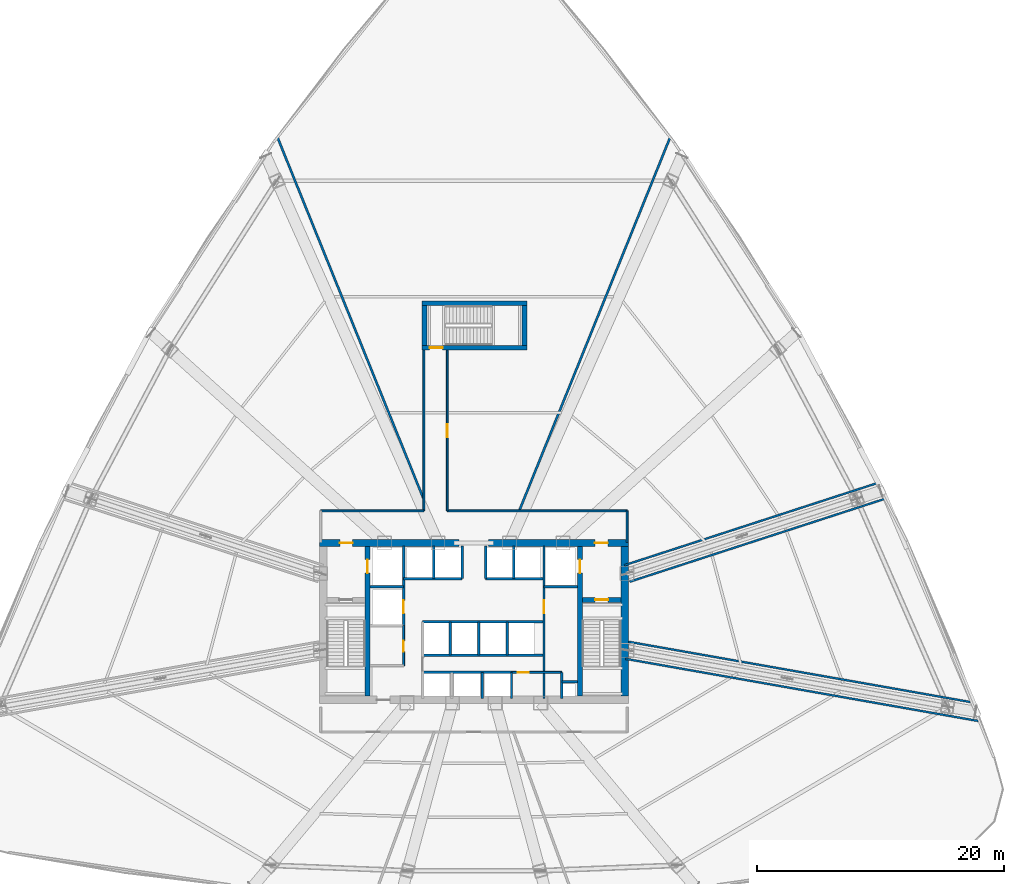
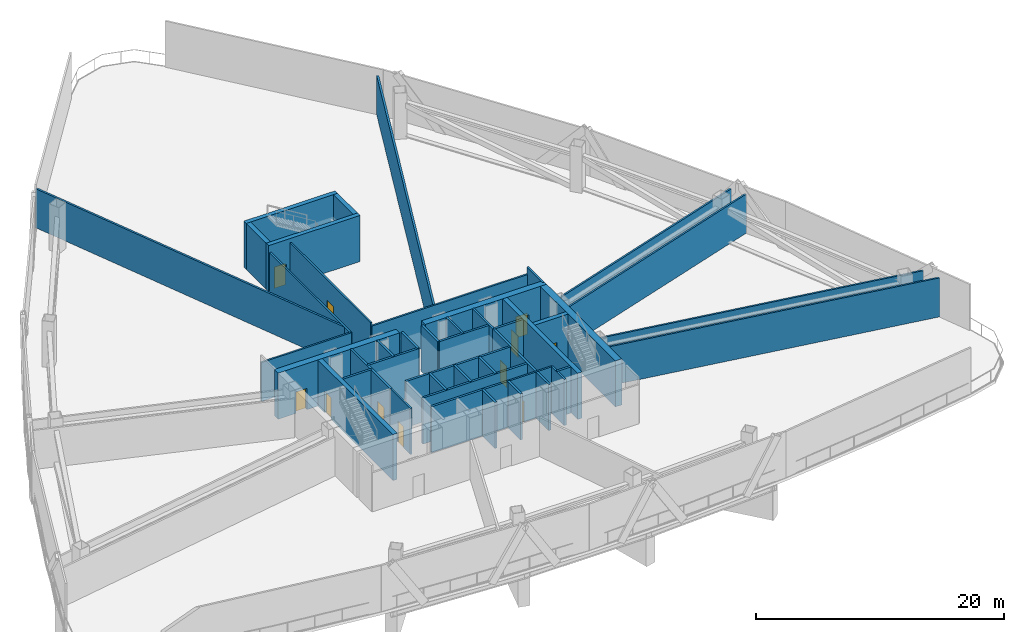
# One storey, part 10 of 17: 44 walls, 11 doors, 11 openings.
"""IFC4 building model written with IfcOpenShell, lengths in metres."""

from ifc_helpers import new_model, si_unit, direction, frame, frame_2d, origin, origin_with_axes, place, context, subcontext, project, spatial, rectangle, extrude, source, transform, mapped, material, layer, layer_set, type_object, element, fill, save


model = new_model("IFC4")

# Units and contexts
model_context = context("Model", 3, precision=1e-05, world=origin(), true_north=direction((0.0, 1.0)))
body_context = subcontext(model_context, "Body", "Model", "MODEL_VIEW")
ifc_project = project(units=[si_unit("LENGTHUNIT", "METRE"), si_unit("AREAUNIT", "SQUARE_METRE"), si_unit("VOLUMEUNIT", "CUBIC_METRE"), si_unit("PLANEANGLEUNIT", "RADIAN"), si_unit("MASSUNIT", "GRAM", prefix="KILO"), si_unit("THERMODYNAMICTEMPERATUREUNIT", "KELVIN"), si_unit("POWERUNIT", "WATT")], contexts=[model_context])

# Site, building, storey
site_placement = place(None, origin())
site = spatial("IfcSite", under=ifc_project, at=site_placement, CompositionType="ELEMENT")
building_placement = place(site_placement, origin())
building = spatial("IfcBuilding", under=site, at=building_placement, Name="Yunzhuo Pagoda Commons", CompositionType="ELEMENT")
storey_placement = place(building_placement, frame((0.0, 0.0, 76.3798828125)))
storey = spatial("IfcBuildingStorey", under=building, at=storey_placement, Name="L19", CompositionType="ELEMENT", Elevation=76.3798828125)

# Wall, opening, door
ifc_material_1 = material(Name="Concrete C60", Category="concrete")
ifc_layer_1 = layer(ifc_material_1, 0.60009765625)
ifc_layer_set_1 = layer_set([ifc_layer_1], Name="Concrete C60")
wall_type_1 = type_object("IfcWallType", Name="W-C02 Mid Core Shear Wall 600", PredefinedType="SHEAR", material=ifc_layer_set_1)
wall_1_placement = place(storey_placement, frame((35.5, 40.199951171875, 0.0), z_axis=(0.0, 0.0, 1.0), x_axis=(1.0, 0.0, 0.0)))
wall_1 = element("IfcWall", 1, at=wall_1_placement, inside=storey, type_object=wall_type_1, Name="L19 core shear wall NW", PredefinedType="SHEAR", context=body_context, shape_type="SweptSolid", body=[
    extrude(rectangle(XDim=11.300048828125, YDim=0.60009765625, at=frame_2d((5.64990234375, 0.0))), origin(), (0.0, 0.0, 1.0), 4.5400390625),
])
opening_1_placement = place(wall_1_placement, frame((1.64990234375, 0.0, 0.0)))
opening_1 = element("IfcOpeningElement", 2, at=opening_1_placement, cuts=wall_1, Name="Opening D-02", PredefinedType="OPENING", context=body_context, shape_type="SweptSolid", body=[
    extrude(rectangle(XDim=1.050048828125, YDim=2.10009765625, at=frame_2d((0.52490234375, 1.050048828125))), frame((0.0, 0.31005859375, 0.0), z_axis=(0.0, -1.0, 0.0), x_axis=(1.0, 0.0, 0.0)), (0.0, 0.0, 1.0), 0.6201171875),
])
ifc_material_2 = material(Name="Galvanized fire-resisting metal leaf")
door_type_1 = type_object("IfcDoorType", Name="D-02 Firefighting Lobby & Refuge Fire Door 1050x2100", OperationType="NOTDEFINED", PredefinedType="DOOR", material=ifc_material_2)
shared_shape_1 = source(origin(), body_context, "Body", "SweptSolid", [
    extrude(rectangle(XDim=1.050048828125, YDim=2.10009765625, at=frame_2d((0.52490234375, 1.050048828125))), frame((0.0, 0.02490234375, 0.0), z_axis=(0.0, -1.0, 0.0), x_axis=(1.0, 0.0, 0.0)), (0.0, 0.0, 1.0), 0.050048828125),
])
door_1_placement = place(opening_1_placement, frame((1.050048828125, 0.0, 0.0), z_axis=(0.0, 0.0, 1.0), x_axis=(-1.0, 0.0, 0.0)))
door_1 = element("IfcDoor", 3, at=door_1_placement, inside=storey, type_object=door_type_1, Name="L19 Firefighting Lobby 1 fire door", OperationType="SINGLE_SWING_LEFT", OverallHeight=2.10009765625, OverallWidth=1.050048828125, PredefinedType="DOOR", context=body_context, shape_type="MappedRepresentation", body=[
    mapped(shared_shape_1, transform((0.0, 0.0, 0.0), scale=1.0)),
])
fill(opening_1, door_1)

wall_2_placement = place(storey_placement, frame((49.199951171875, 40.199951171875, 0.0), z_axis=(0.0, 0.0, 1.0), x_axis=(1.0, 0.0, 0.0)))
wall_2 = element("IfcWall", 4, at=wall_2_placement, inside=storey, type_object=wall_type_1, Name="L19 core shear wall NE", PredefinedType="SHEAR", context=body_context, shape_type="SweptSolid", body=[
    extrude(rectangle(XDim=11.300048828125, YDim=0.60009765625, at=frame_2d((5.64990234375, 0.0))), origin(), (0.0, 0.0, 1.0), 4.5400390625),
])
opening_2_placement = place(wall_2_placement, frame((8.60009765625, 0.0, 0.0)))
opening_2 = element("IfcOpeningElement", 5, at=opening_2_placement, cuts=wall_2, Name="Opening D-02", PredefinedType="OPENING", context=body_context, shape_type="SweptSolid", body=[
    extrude(rectangle(XDim=1.050048828125, YDim=2.10009765625, at=frame_2d((0.52490234375, 1.050048828125))), frame((0.0, 0.31005859375, 0.0), z_axis=(0.0, -1.0, 0.0), x_axis=(1.0, 0.0, 0.0)), (0.0, 0.0, 1.0), 0.6201171875),
])
door_2_placement = place(opening_2_placement, frame((1.050048828125, 0.0, 0.0), z_axis=(0.0, 0.0, 1.0), x_axis=(-1.0, 0.0, 0.0)))
door_2 = element("IfcDoor", 6, at=door_2_placement, inside=storey, type_object=door_type_1, Name="L19 Firefighting Lobby 2 fire door", OperationType="SINGLE_SWING_RIGHT", OverallHeight=2.10009765625, OverallWidth=1.050048828125, PredefinedType="DOOR", context=body_context, shape_type="MappedRepresentation", body=[
    mapped(shared_shape_1, transform((0.0, 0.0, 0.0), scale=1.0)),
])
fill(opening_2, door_2)

# Wall
wall_3_placement = place(storey_placement, frame((60.199951171875, 27.800048828125, 0.0), z_axis=(0.0, 0.0, 1.0), x_axis=(0.0, 1.0, 0.0)))
element("IfcWall", 7, at=wall_3_placement, inside=storey, type_object=wall_type_1, Name="L19 core shear wall E", PredefinedType="SHEAR", context=body_context, shape_type="SweptSolid", body=[
    extrude(rectangle(XDim=12.099853515625, YDim=0.60009765625, at=frame_2d((6.0498046875, 0.0))), origin(), (0.0, 0.0, 1.0), 4.5400390625),
])

# Wall, opening, door
ifc_material_3 = material(Name="Gypsum plasterboard on acoustic stud")
ifc_layer_2 = layer(ifc_material_3, 0.159912109375)
ifc_layer_set_2 = layer_set([ifc_layer_2], Name="Gypsum plasterboard on acoustic stud")
wall_type_2 = type_object("IfcWallType", Name="W-COR1 Tower Rated Corridor Wall 160", PredefinedType="PARTITIONING", material=ifc_layer_set_2)
wall_4_placement = place(storey_placement, frame((42.320068359375, 30.280029296875, 0.0), z_axis=(0.0, 0.0, 1.0), x_axis=(0.0, 1.0, 0.0)))
wall_4 = element("IfcWall", 8, at=wall_4_placement, inside=storey, type_object=wall_type_2, Name="L19 interior wall IW-L19-CSWE", PredefinedType="PARTITIONING", context=body_context, shape_type="SweptSolid", body=[
    extrude(rectangle(XDim=3.219970703125, YDim=0.159912109375, at=frame_2d((1.60986328125, 0.0))), origin(), (0.0, 0.0, 1.0), 4.5400390625),
])
opening_3_placement = place(wall_4_placement, frame((1.10009765625, 0.0, 0.0)))
opening_3 = element("IfcOpeningElement", 9, at=opening_3_placement, cuts=wall_4, Name="Opening D-03", PredefinedType="OPENING", context=body_context, shape_type="SweptSolid", body=[
    extrude(rectangle(XDim=0.89990234375, YDim=2.10009765625, at=frame_2d((0.449951171875, 1.050048828125))), frame((0.0, 0.08984375, 0.0), z_axis=(0.0, -1.0, 0.0), x_axis=(1.0, 0.0, 0.0)), (0.0, 0.0, 1.0), 0.179931640625),
])
door_type_2 = type_object("IfcDoorType", Name="D-03 Core Service Fire Door 900x2100", OperationType="NOTDEFINED", PredefinedType="DOOR", material=ifc_material_2)
shared_shape_2 = source(origin(), body_context, "Body", "SweptSolid", [
    extrude(rectangle(XDim=0.89990234375, YDim=2.10009765625, at=frame_2d((0.449951171875, 1.050048828125))), frame((0.0, 0.02490234375, 0.0), z_axis=(0.0, -1.0, 0.0), x_axis=(1.0, 0.0, 0.0)), (0.0, 0.0, 1.0), 0.050048828125),
])
door_3_placement = place(opening_3_placement, origin_with_axes())
door_3 = element("IfcDoor", 10, at=door_3_placement, inside=storey, type_object=door_type_2, Name="L19 core closet door", OperationType="SINGLE_SWING_LEFT", OverallHeight=2.10009765625, OverallWidth=0.89990234375, PredefinedType="DOOR", context=body_context, shape_type="MappedRepresentation", body=[
    mapped(shared_shape_2, transform((0.0, 0.0, 0.0), scale=1.0)),
])
fill(opening_3, door_3)

wall_5_placement = place(storey_placement, frame((51.050048828125, 29.719970703125, 0.0), z_axis=(0.0, 0.0, 1.0), x_axis=(1.0, 0.0, 0.0)))
wall_5 = element("IfcWall", 11, at=wall_5_placement, inside=storey, type_object=wall_type_2, Name="L19 interior wall IW-L19-CSES", PredefinedType="PARTITIONING", context=body_context, shape_type="SweptSolid", body=[
    extrude(rectangle(XDim=4.070068359375, YDim=0.159912109375, at=frame_2d((2.03515625, 0.0))), origin(), (0.0, 0.0, 1.0), 4.5400390625),
])
opening_4_placement = place(wall_5_placement, frame((0.5, 0.0, 0.0)))
opening_4 = element("IfcOpeningElement", 12, at=opening_4_placement, cuts=wall_5, Name="Opening D-03", PredefinedType="OPENING", context=body_context, shape_type="SweptSolid", body=[
    extrude(rectangle(XDim=0.89990234375, YDim=2.10009765625, at=frame_2d((0.449951171875, 1.050048828125))), frame((0.0, 0.08984375, 0.0), z_axis=(0.0, -1.0, 0.0), x_axis=(1.0, 0.0, 0.0)), (0.0, 0.0, 1.0), 0.179931640625),
])
door_4_placement = place(opening_4_placement, origin_with_axes())
door_4 = element("IfcDoor", 13, at=door_4_placement, inside=storey, type_object=door_type_2, Name="L19 cleaner store door", OperationType="SINGLE_SWING_LEFT", OverallHeight=2.10009765625, OverallWidth=0.89990234375, PredefinedType="DOOR", context=body_context, shape_type="MappedRepresentation", body=[
    mapped(shared_shape_2, transform((0.0, 0.0, 0.0), scale=1.0)),
])
fill(opening_4, door_4)

# Walls
wall_6_placement = place(storey_placement, frame((60.2783203125, 30.82421875, 0.0), z_axis=(0.0, 0.0, 1.0), x_axis=(0.984807902687, -0.173647328815, 0.0)))
element("IfcWall", 14, at=wall_6_placement, inside=storey, type_object=wall_type_2, Name="L19 interior wall IW-L19-OTW01", PredefinedType="PARTITIONING", context=body_context, shape_type="SweptSolid", body=[
    extrude(rectangle(XDim=29.0654296875, YDim=0.159912109375, at=frame_2d((14.53271484375, 0.0))), origin(), (0.0, 0.0, 1.0), 3.840087890625),
])
wall_7_placement = place(storey_placement, frame((60.521484375, 32.202880859375, 0.0), z_axis=(0.0, 0.0, 1.0), x_axis=(0.984808219267, -0.173645533386, 0.0)))
element("IfcWall", 15, at=wall_7_placement, inside=storey, type_object=wall_type_2, Name="L19 interior wall IW-L19-OTW02", PredefinedType="PARTITIONING", context=body_context, shape_type="SweptSolid", body=[
    extrude(rectangle(XDim=28.19384765625, YDim=0.159912109375, at=frame_2d((14.096923828125, 0.0))), origin(), (0.0, 0.0, 1.0), 3.840087890625),
])
wall_8_placement = place(storey_placement, frame((60.6162109375, 37.063232421875, 0.0), z_axis=(0.0, 0.0, 1.0), x_axis=(0.951055634406, 0.309019708539, 0.0)))
element("IfcWall", 16, at=wall_8_placement, inside=storey, type_object=wall_type_2, Name="L19 interior wall IW-L19-OTW03", PredefinedType="PARTITIONING", context=body_context, shape_type="SweptSolid", body=[
    extrude(rectangle(XDim=21.71142578125, YDim=0.159912109375, at=frame_2d((10.855712890625, 0.0))), origin(), (0.0, 0.0, 1.0), 3.840087890625),
])
wall_9_placement = place(storey_placement, frame((60.18359375, 38.394775390625, 0.0), z_axis=(0.0, 0.0, 1.0), x_axis=(0.951057789573, 0.309013075603, 0.0)))
element("IfcWall", 17, at=wall_9_placement, inside=storey, type_object=wall_type_2, Name="L19 interior wall IW-L19-OTW04", PredefinedType="PARTITIONING", context=body_context, shape_type="SweptSolid", body=[
    extrude(rectangle(XDim=21.47802734375, YDim=0.159912109375, at=frame_2d((10.739013671875, 0.0))), origin(), (0.0, 0.0, 1.0), 3.840087890625),
])
wall_10_placement = place(storey_placement, frame((35.60009765625, 42.800048828125, 0.0), z_axis=(0.0, 0.0, 1.0), x_axis=(1.0, 0.0, 0.0)))
element("IfcWall", 18, at=wall_10_placement, inside=storey, type_object=wall_type_2, Name="L19 interior wall IW-L19-SCW02", PredefinedType="PARTITIONING", context=body_context, shape_type="SweptSolid", body=[
    extrude(rectangle(XDim=8.349853515625, YDim=0.159912109375, at=frame_2d((4.1748046875, 0.0))), origin(), (0.0, 0.0, 1.0), 3.840087890625),
])
wall_11_placement = place(storey_placement, frame((43.949951171875, 42.800048828125, 0.0), z_axis=(0.0, 0.0, 1.0), x_axis=(0.0, 1.0, 0.0)))
element("IfcWall", 19, at=wall_11_placement, inside=storey, type_object=wall_type_2, Name="L19 interior wall IW-L19-SCW03", PredefinedType="PARTITIONING", context=body_context, shape_type="SweptSolid", body=[
    extrude(rectangle(XDim=13.0, YDim=0.159912109375, at=frame_2d((6.5, 0.0))), origin(), (0.0, 0.0, 1.0), 3.840087890625),
])

# Wall, opening, door
wall_12_placement = place(storey_placement, frame((45.85009765625, 55.800048828125, 0.0), z_axis=(0.0, 0.0, 1.0), x_axis=(0.0, -1.0, 0.0)))
wall_12 = element("IfcWall", 20, at=wall_12_placement, inside=storey, type_object=wall_type_2, Name="L19 interior wall IW-L19-SCW04", PredefinedType="PARTITIONING", context=body_context, shape_type="SweptSolid", body=[
    extrude(rectangle(XDim=13.0, YDim=0.159912109375, at=frame_2d((6.5, 0.0))), origin(), (0.0, 0.0, 1.0), 4.14013671875),
])
opening_5_placement = place(wall_12_placement, frame((5.97509765625, 0.0, 0.0)))
opening_5 = element("IfcOpeningElement", 21, at=opening_5_placement, cuts=wall_12, Name="Opening D-02", PredefinedType="OPENING", context=body_context, shape_type="SweptSolid", body=[
    extrude(rectangle(XDim=1.050048828125, YDim=2.10009765625, at=frame_2d((0.52490234375, 1.050048828125))), frame((0.0, 0.08984375, 0.0), z_axis=(0.0, -1.0, 0.0), x_axis=(1.0, 0.0, 0.0)), (0.0, 0.0, 1.0), 0.179931640625),
])
door_5_placement = place(opening_5_placement, origin_with_axes())
door_5 = element("IfcDoor", 22, at=door_5_placement, inside=storey, type_object=door_type_1, Name="L19 North Refuge Area door", OperationType="SINGLE_SWING_RIGHT", OverallHeight=2.10009765625, OverallWidth=1.050048828125, PredefinedType="DOOR", context=body_context, shape_type="MappedRepresentation", body=[
    mapped(shared_shape_1, transform((0.0, 0.0, 0.0), scale=1.0)),
])
fill(opening_5, door_5)

# Walls
wall_13_placement = place(storey_placement, frame((45.85009765625, 42.800048828125, 0.0), z_axis=(0.0, 0.0, 1.0), x_axis=(1.0, 0.0, 0.0)))
element("IfcWall", 23, at=wall_13_placement, inside=storey, type_object=wall_type_2, Name="L19 interior wall IW-L19-SCW05", PredefinedType="PARTITIONING", context=body_context, shape_type="SweptSolid", body=[
    extrude(rectangle(XDim=14.5498046875, YDim=0.159912109375, at=frame_2d((7.27490234375, 0.0))), origin(), (0.0, 0.0, 1.0), 3.840087890625),
])
wall_14_placement = place(storey_placement, frame((60.39990234375, 42.800048828125, 0.0), z_axis=(0.0, 0.0, 1.0), x_axis=(0.0, -1.0, 0.0)))
element("IfcWall", 24, at=wall_14_placement, inside=storey, type_object=wall_type_2, Name="L19 interior wall IW-L19-SCW06", PredefinedType="PARTITIONING", context=body_context, shape_type="SweptSolid", body=[
    extrude(rectangle(XDim=2.550048828125, YDim=0.159912109375, at=frame_2d((1.27490234375, 0.0))), origin(), (0.0, 0.0, 1.0), 4.5400390625),
])
ifc_layer_3 = layer(ifc_material_3, 0.179931640625)
ifc_layer_set_3 = layer_set([ifc_layer_3], Name="Gypsum plasterboard on acoustic stud")
wall_type_3 = type_object("IfcWallType", Name="W-PRT2 Acoustic Unit Demising Wall 180", PredefinedType="PARTITIONING", material=ifc_layer_set_3)
wall_15_placement = place(storey_placement, frame((51.676513671875, 42.800048828125, 0.0), z_axis=(0.0, 0.0, 1.0), x_axis=(0.374610544703, 0.927182258133, 0.0)))
element("IfcWall", 25, at=wall_15_placement, inside=storey, type_object=wall_type_3, Name="L19 interior wall IW-L19-SRAD1", PredefinedType="PARTITIONING", context=body_context, shape_type="SweptSolid", body=[
    extrude(rectangle(XDim=32.594482421875, YDim=0.179931640625, at=frame_2d((16.29736328125, 0.0))), origin(), (0.0, 0.0, 1.0), 3.840087890625),
])
wall_16_placement = place(storey_placement, frame((43.949951171875, 43.72412109375, 0.0), z_axis=(0.0, 0.0, 1.0), x_axis=(-0.374605616336, 0.927184249332, 0.0)))
element("IfcWall", 26, at=wall_16_placement, inside=storey, type_object=wall_type_3, Name="L19 interior wall IW-L19-SRAD2", PredefinedType="PARTITIONING", context=body_context, shape_type="SweptSolid", body=[
    extrude(rectangle(XDim=31.59765625, YDim=0.179931640625, at=frame_2d((15.798828125, 0.0))), origin(), (0.0, 0.0, 1.0), 3.840087890625),
])

# Wall, opening, door
ifc_layer_4 = layer(ifc_material_1, 0.39990234375)
ifc_layer_set_4 = layer_set([ifc_layer_4], Name="Concrete C60")
wall_type_4 = type_object("IfcWallType", Name="W-S01 Internal Core Shear Web 400", PredefinedType="SHEAR", material=ifc_layer_set_4)
wall_17_placement = place(storey_placement, frame((39.39990234375, 27.800048828125, 0.0), z_axis=(0.0, 0.0, 1.0), x_axis=(0.0, 1.0, 0.0)))
wall_17 = element("IfcWall", 27, at=wall_17_placement, inside=storey, type_object=wall_type_4, Name="L19 core shear wall WEBW", PredefinedType="SHEAR", context=body_context, shape_type="SweptSolid", body=[
    extrude(rectangle(XDim=12.099853515625, YDim=0.39990234375, at=frame_2d((6.0498046875, 0.0))), origin(), (0.0, 0.0, 1.0), 4.5400390625),
])
opening_6_placement = place(wall_17_placement, frame((9.949951171875, 0.0, 0.0)))
opening_6 = element("IfcOpeningElement", 28, at=opening_6_placement, cuts=wall_17, Name="Opening LD-01", PredefinedType="OPENING", context=body_context, shape_type="SweptSolid", body=[
    extrude(rectangle(XDim=1.10009765625, YDim=2.10009765625, at=frame_2d((0.550048828125, 1.050048828125))), frame((0.0, 0.2099609375, 0.0), z_axis=(0.0, -1.0, 0.0), x_axis=(1.0, 0.0, 0.0)), (0.0, 0.0, 1.0), 0.419921875),
])
door_type_3 = type_object("IfcDoorType", Name="LD-01 Firefighting Lift Landing Door 1100x2100", OperationType="DOUBLE_DOOR_SLIDING", PredefinedType="DOOR", material=ifc_material_2)
shared_shape_3 = source(origin(), body_context, "Body", "SweptSolid", [
    extrude(rectangle(XDim=1.10009765625, YDim=2.10009765625, at=frame_2d((0.550048828125, 1.050048828125))), frame((0.0, 0.02490234375, 0.0), z_axis=(0.0, -1.0, 0.0), x_axis=(1.0, 0.0, 0.0)), (0.0, 0.0, 1.0), 0.050048828125),
])
door_6_placement = place(opening_6_placement, frame((1.10009765625, 0.0, 0.0), z_axis=(0.0, 0.0, 1.0), x_axis=(-1.0, 0.0, 0.0)))
door_6 = element("IfcDoor", 29, at=door_6_placement, inside=storey, type_object=door_type_3, Name="L19 Firefighting lift FL-1 landing door", OperationType="DOUBLE_DOOR_SLIDING", OverallHeight=2.10009765625, OverallWidth=1.10009765625, PredefinedType="DOOR", context=body_context, shape_type="MappedRepresentation", body=[
    mapped(shared_shape_3, transform((0.0, 0.0, 0.0), scale=1.0)),
])
fill(opening_6, door_6)

wall_18_placement = place(storey_placement, frame((56.60009765625, 27.800048828125, 0.0), z_axis=(0.0, 0.0, 1.0), x_axis=(0.0, 1.0, 0.0)))
wall_18 = element("IfcWall", 30, at=wall_18_placement, inside=storey, type_object=wall_type_4, Name="L19 core shear wall WEBE", PredefinedType="SHEAR", context=body_context, shape_type="SweptSolid", body=[
    extrude(rectangle(XDim=12.099853515625, YDim=0.39990234375, at=frame_2d((6.0498046875, 0.0))), origin(), (0.0, 0.0, 1.0), 4.5400390625),
])
opening_7_placement = place(wall_18_placement, frame((9.949951171875, 0.0, 0.0)))
opening_7 = element("IfcOpeningElement", 31, at=opening_7_placement, cuts=wall_18, Name="Opening LD-01", PredefinedType="OPENING", context=body_context, shape_type="SweptSolid", body=[
    extrude(rectangle(XDim=1.10009765625, YDim=2.10009765625, at=frame_2d((0.550048828125, 1.050048828125))), frame((0.0, 0.2099609375, 0.0), z_axis=(0.0, -1.0, 0.0), x_axis=(1.0, 0.0, 0.0)), (0.0, 0.0, 1.0), 0.419921875),
])
door_7_placement = place(opening_7_placement, origin_with_axes())
door_7 = element("IfcDoor", 32, at=door_7_placement, inside=storey, type_object=door_type_3, Name="L19 Firefighting lift FL-2 landing door", OperationType="DOUBLE_DOOR_SLIDING", OverallHeight=2.10009765625, OverallWidth=1.10009765625, PredefinedType="DOOR", context=body_context, shape_type="MappedRepresentation", body=[
    mapped(shared_shape_3, transform((0.0, 0.0, 0.0), scale=1.0)),
])
fill(opening_7, door_7)

wall_19_placement = place(storey_placement, frame((56.800048828125, 35.60009765625, 0.0), z_axis=(0.0, 0.0, 1.0), x_axis=(1.0, 0.0, 0.0)))
wall_19 = element("IfcWall", 33, at=wall_19_placement, inside=storey, type_object=wall_type_4, Name="L19 core shear wall STE", PredefinedType="SHEAR", context=body_context, shape_type="SweptSolid", body=[
    extrude(rectangle(XDim=3.099853515625, YDim=0.39990234375, at=frame_2d((1.5498046875, 0.0))), origin(), (0.0, 0.0, 1.0), 4.5400390625),
])
opening_8_placement = place(wall_19_placement, frame((1.02001953125, 0.0, 0.0)))
opening_8 = element("IfcOpeningElement", 34, at=opening_8_placement, cuts=wall_19, Name="Opening D-01", PredefinedType="OPENING", context=body_context, shape_type="SweptSolid", body=[
    extrude(rectangle(XDim=1.050048828125, YDim=2.10009765625, at=frame_2d((0.52490234375, 1.050048828125))), frame((0.0, 0.2099609375, 0.0), z_axis=(0.0, -1.0, 0.0), x_axis=(1.0, 0.0, 0.0)), (0.0, 0.0, 1.0), 0.419921875),
])
door_type_4 = type_object("IfcDoorType", Name="D-01 Smokeproof Stair Fire Door 1050x2100", OperationType="NOTDEFINED", PredefinedType="DOOR", material=ifc_material_2)
door_8_placement = place(opening_8_placement, frame((1.050048828125, 0.0, 0.0), z_axis=(0.0, 0.0, 1.0), x_axis=(-1.0, 0.0, 0.0)))
door_8 = element("IfcDoor", 35, at=door_8_placement, inside=storey, type_object=door_type_4, Name="L19 Stair ST2 fire door", OperationType="SINGLE_SWING_RIGHT", OverallHeight=2.10009765625, OverallWidth=1.050048828125, PredefinedType="DOOR", context=body_context, shape_type="MappedRepresentation", body=[
    mapped(shared_shape_1, transform((0.0, 0.0, 0.0), scale=1.0)),
])
fill(opening_8, door_8)

# Wall
wall_20_placement = place(storey_placement, frame((43.800048828125, 59.60009765625, 0.0), z_axis=(0.0, 0.0, 1.0), x_axis=(1.0, 0.0, 0.0)))
element("IfcWall", 36, at=wall_20_placement, inside=storey, type_object=wall_type_4, Name="L19 ST3 structural stair wall N", PredefinedType="SHEAR", context=body_context, shape_type="SweptSolid", body=[
    extrude(rectangle(XDim=8.5, YDim=0.39990234375, at=frame_2d((4.25, 0.0))), origin(), (0.0, 0.0, 1.0), 4.5400390625),
])

# Wall, opening, door
wall_21_placement = place(storey_placement, frame((43.800048828125, 56.0, 0.0), z_axis=(0.0, 0.0, 1.0), x_axis=(1.0, 0.0, 0.0)))
wall_21 = element("IfcWall", 37, at=wall_21_placement, inside=storey, type_object=wall_type_4, Name="L19 ST3 structural stair wall S", PredefinedType="SHEAR", context=body_context, shape_type="SweptSolid", body=[
    extrude(rectangle(XDim=8.5, YDim=0.39990234375, at=frame_2d((4.25, 0.0))), origin(), (0.0, 0.0, 1.0), 4.5400390625),
])
opening_9_placement = place(wall_21_placement, frame((0.6201171875, 0.0, 0.0)))
opening_9 = element("IfcOpeningElement", 38, at=opening_9_placement, cuts=wall_21, Name="Opening D-01", PredefinedType="OPENING", context=body_context, shape_type="SweptSolid", body=[
    extrude(rectangle(XDim=1.050048828125, YDim=2.10009765625, at=frame_2d((0.52490234375, 1.050048828125))), frame((0.0, 0.2099609375, 0.0), z_axis=(0.0, -1.0, 0.0), x_axis=(1.0, 0.0, 0.0)), (0.0, 0.0, 1.0), 0.419921875),
])
door_9_placement = place(opening_9_placement, frame((1.050048828125, 0.0, 0.0), z_axis=(0.0, 0.0, 1.0), x_axis=(-1.0, 0.0, 0.0)))
door_9 = element("IfcDoor", 39, at=door_9_placement, inside=storey, type_object=door_type_4, Name="L19 Stair ST3 fire door", OperationType="SINGLE_SWING_LEFT", OverallHeight=2.10009765625, OverallWidth=1.050048828125, PredefinedType="DOOR", context=body_context, shape_type="MappedRepresentation", body=[
    mapped(shared_shape_1, transform((0.0, 0.0, 0.0), scale=1.0)),
])
fill(opening_9, door_9)

# Walls
for number, where, z_axis, x_axis, name in (
    (40, (44.0, 56.199951171875, 0.0), (0.0, 0.0, 1.0), (0.0, 1.0, 0.0), "L19 ST3 structural stair wall W"),
    (41, (52.10009765625, 56.199951171875, 0.0), (0.0, 0.0, 1.0), (0.0, 1.0, 0.0), "L19 ST3 structural stair wall E"),
):
    element("IfcWall", number, at=place(storey_placement, frame(where, z_axis=z_axis, x_axis=x_axis)), inside=storey, type_object=wall_type_4, Name=name, PredefinedType="SHEAR", context=body_context, shape_type="SweptSolid", body=[
        extrude(rectangle(XDim=3.199951171875, YDim=0.39990234375, at=frame_2d((1.60009765625, 0.0))), origin(), (0.0, 0.0, 1.0), 4.5400390625),
    ])

# Wall, opening, door
ifc_material_4 = material(Name="Concrete C40", Category="concrete")
ifc_layer_5 = layer(ifc_material_4, 0.199951171875)
ifc_layer_set_5 = layer_set([ifc_layer_5], Name="Concrete C40")
wall_type_5 = type_object("IfcWallType", Name="W-SHF Shaft & Stair Enclosure Wall 200", PredefinedType="SOLIDWALL", material=ifc_layer_set_5)
wall_22_placement = place(storey_placement, frame((42.320068359375, 33.5, 0.0), z_axis=(0.0, 0.0, 1.0), x_axis=(0.0, 1.0, 0.0)))
wall_22 = element("IfcWall", 42, at=wall_22_placement, inside=storey, type_object=wall_type_5, Name="L19 interior wall IW-L19-FL1E", PredefinedType="SOLIDWALL", context=body_context, shape_type="SweptSolid", body=[
    extrude(rectangle(XDim=6.449951171875, YDim=0.199951171875, at=frame_2d((3.22509765625, 0.0))), origin(), (0.0, 0.0, 1.0), 4.5400390625),
])
opening_10_placement = place(wall_22_placement, frame((1.0, 0.0, 0.0)))
opening_10 = element("IfcOpeningElement", 43, at=opening_10_placement, cuts=wall_22, Name="Opening LD-02", PredefinedType="OPENING", context=body_context, shape_type="SweptSolid", body=[
    extrude(rectangle(XDim=1.050048828125, YDim=2.10009765625, at=frame_2d((0.52490234375, 1.050048828125))), frame((0.0, 0.10986328125, 0.0), z_axis=(0.0, -1.0, 0.0), x_axis=(1.0, 0.0, 0.0)), (0.0, 0.0, 1.0), 0.219970703125),
])
door_type_5 = type_object("IfcDoorType", Name="LD-02 Passenger Lift Landing Door 1050x2100", OperationType="DOUBLE_DOOR_SLIDING", PredefinedType="DOOR", material=ifc_material_2)
door_10_placement = place(opening_10_placement, origin_with_axes())
door_10 = element("IfcDoor", 44, at=door_10_placement, inside=storey, type_object=door_type_5, Name="L19 Service lift SL-1 landing door", OperationType="DOUBLE_DOOR_SLIDING", OverallHeight=2.10009765625, OverallWidth=1.050048828125, PredefinedType="DOOR", context=body_context, shape_type="MappedRepresentation", body=[
    mapped(shared_shape_1, transform((0.0, 0.0, 0.0), scale=1.0)),
])
fill(opening_10, door_10)

# Walls
wall_23_placement = place(storey_placement, frame((39.60009765625, 36.64990234375, 0.0), z_axis=(0.0, 0.0, 1.0), x_axis=(1.0, 0.0, 0.0)))
element("IfcWall", 45, at=wall_23_placement, inside=storey, type_object=wall_type_5, Name="L19 interior wall IW-L19-FL1S", PredefinedType="SOLIDWALL", context=body_context, shape_type="SweptSolid", body=[
    extrude(rectangle(XDim=2.719970703125, YDim=0.199951171875, at=frame_2d((1.35986328125, 0.0))), origin(), (0.0, 0.0, 1.0), 4.5400390625),
])
wall_24_placement = place(storey_placement, frame((53.679931640625, 36.64990234375, 0.0), z_axis=(0.0, 0.0, 1.0), x_axis=(0.0, 1.0, 0.0)))
element("IfcWall", 46, at=wall_24_placement, inside=storey, type_object=wall_type_5, Name="L19 interior wall IW-L19-FL2W", PredefinedType="SOLIDWALL", context=body_context, shape_type="SweptSolid", body=[
    extrude(rectangle(XDim=3.300048828125, YDim=0.199951171875, at=frame_2d((1.64990234375, 0.0))), origin(), (0.0, 0.0, 1.0), 4.5400390625),
])
wall_25_placement = place(storey_placement, frame((53.679931640625, 36.64990234375, 0.0), z_axis=(0.0, 0.0, 1.0), x_axis=(1.0, 0.0, 0.0)))
element("IfcWall", 47, at=wall_25_placement, inside=storey, type_object=wall_type_5, Name="L19 interior wall IW-L19-FL2S", PredefinedType="SOLIDWALL", context=body_context, shape_type="SweptSolid", body=[
    extrude(rectangle(XDim=2.719970703125, YDim=0.199951171875, at=frame_2d((1.35986328125, 0.0))), origin(), (0.0, 0.0, 1.0), 4.5400390625),
])
for number, where, z_axis, x_axis, name in (
    (48, (42.320068359375, 37.320068359375, 0.0), (0.0, 0.0, 1.0), (1.0, 0.0, 0.0), "L19 interior wall IW-L19-LBNW"),
    (49, (48.949951171875, 37.320068359375, 0.0), (0.0, 0.0, 1.0), (1.0, 0.0, 0.0), "L19 interior wall IW-L19-LBNE"),
):
    element("IfcWall", number, at=place(storey_placement, frame(where, z_axis=z_axis, x_axis=x_axis)), inside=storey, type_object=wall_type_5, Name=name, PredefinedType="SOLIDWALL", context=body_context, shape_type="SweptSolid", body=[
        extrude(rectangle(XDim=4.72998046875, YDim=0.199951171875, at=frame_2d((2.364990234375, 0.0))), origin(), (0.0, 0.0, 1.0), 4.5400390625),
    ])
for number, where, z_axis, x_axis, name in (
    (50, (47.050048828125, 37.320068359375, 0.0), (0.0, 0.0, 1.0), (0.0, 1.0, 0.0), "L19 interior wall IW-L19-THRW"),
    (51, (48.949951171875, 37.320068359375, 0.0), (0.0, 0.0, 1.0), (0.0, 1.0, 0.0), "L19 interior wall IW-L19-THRE"),
    (52, (44.77001953125, 37.320068359375, 0.0), (0.0, 0.0, 1.0), (0.0, 1.0, 0.0), "L19 interior wall IW-L19-PLL12"),
    (53, (51.22998046875, 37.320068359375, 0.0), (0.0, 0.0, 1.0), (0.0, 1.0, 0.0), "L19 interior wall IW-L19-PLL34"),
):
    element("IfcWall", number, at=place(storey_placement, frame(where, z_axis=z_axis, x_axis=x_axis)), inside=storey, type_object=wall_type_5, Name=name, PredefinedType="SOLIDWALL", context=body_context, shape_type="SweptSolid", body=[
        extrude(rectangle(XDim=2.6298828125, YDim=0.199951171875, at=frame_2d((1.31494140625, 0.0))), origin(), (0.0, 0.0, 1.0), 4.5400390625),
    ])
wall_26_placement = place(storey_placement, frame((43.85009765625, 33.820068359375, 0.0), z_axis=(0.0, 0.0, 1.0), x_axis=(1.0, 0.0, 0.0)))
element("IfcWall", 54, at=wall_26_placement, inside=storey, type_object=wall_type_5, Name="L19 interior wall IW-L19-MLBS", PredefinedType="SOLIDWALL", context=body_context, shape_type="SweptSolid", body=[
    extrude(rectangle(XDim=9.829833984375, YDim=0.199951171875, at=frame_2d((4.9150390625, 0.0))), origin(), (0.0, 0.0, 1.0), 4.5400390625),
])

# Wall, opening, door
wall_27_placement = place(storey_placement, frame((53.679931640625, 27.60009765625, 0.0), z_axis=(0.0, 0.0, 1.0), x_axis=(0.0, 1.0, 0.0)))
wall_27 = element("IfcWall", 55, at=wall_27_placement, inside=storey, type_object=wall_type_5, Name="L19 interior wall IW-L19-PLME", PredefinedType="SOLIDWALL", context=body_context, shape_type="SweptSolid", body=[
    extrude(rectangle(XDim=9.0498046875, YDim=0.199951171875, at=frame_2d((4.52490234375, 0.0))), origin(), (0.0, 0.0, 1.0), 4.5400390625),
])
opening_11_placement = place(wall_27_placement, frame((6.89990234375, 0.0, 0.0)))
opening_11 = element("IfcOpeningElement", 56, at=opening_11_placement, cuts=wall_27, Name="Opening D-02", PredefinedType="OPENING", context=body_context, shape_type="SweptSolid", body=[
    extrude(rectangle(XDim=1.050048828125, YDim=2.10009765625, at=frame_2d((0.52490234375, 1.050048828125))), frame((0.0, 0.10986328125, 0.0), z_axis=(0.0, -1.0, 0.0), x_axis=(1.0, 0.0, 0.0)), (0.0, 0.0, 1.0), 0.219970703125),
])
door_11_placement = place(opening_11_placement, origin_with_axes())
door_11 = element("IfcDoor", 57, at=door_11_placement, inside=storey, type_object=door_type_1, Name="L19 High-bank lift hall door", OperationType="SINGLE_SWING_RIGHT", OverallHeight=2.10009765625, OverallWidth=1.050048828125, PredefinedType="DOOR", context=body_context, shape_type="MappedRepresentation", body=[
    mapped(shared_shape_1, transform((0.0, 0.0, 0.0), scale=1.0)),
])
fill(opening_11, door_11)

# Walls
for number, where, z_axis, x_axis, name in (
    (58, (46.10009765625, 31.1201171875, 0.0), (0.0, 0.0, 1.0), (0.0, 1.0, 0.0), "L19 interior wall IW-L19-PLMD1"),
    (59, (48.39990234375, 31.1201171875, 0.0), (0.0, 0.0, 1.0), (0.0, 1.0, 0.0), "L19 interior wall IW-L19-PLMD2"),
    (60, (50.699951171875, 31.1201171875, 0.0), (0.0, 0.0, 1.0), (0.0, 1.0, 0.0), "L19 interior wall IW-L19-PLMD3"),
):
    element("IfcWall", number, at=place(storey_placement, frame(where, z_axis=z_axis, x_axis=x_axis)), inside=storey, type_object=wall_type_5, Name=name, PredefinedType="SOLIDWALL", context=body_context, shape_type="SweptSolid", body=[
        extrude(rectangle(XDim=2.699951171875, YDim=0.199951171875, at=frame_2d((1.35009765625, 0.0))), origin(), (0.0, 0.0, 1.0), 4.5400390625),
    ])
wall_28_placement = place(storey_placement, frame((43.85009765625, 29.719970703125, 0.0), z_axis=(0.0, 0.0, 1.0), x_axis=(1.0, 0.0, 0.0)))
element("IfcWall", 61, at=wall_28_placement, inside=storey, type_object=wall_type_5, Name="L19 interior wall IW-L19-PLHN", PredefinedType="SOLIDWALL", context=body_context, shape_type="SweptSolid", body=[
    extrude(rectangle(XDim=7.199951171875, YDim=0.199951171875, at=frame_2d((3.60009765625, 0.0))), origin(), (0.0, 0.0, 1.0), 4.5400390625),
])
wall_29_placement = place(storey_placement, frame((51.050048828125, 27.60009765625, 0.0), z_axis=(0.0, 0.0, 1.0), x_axis=(0.0, 1.0, 0.0)))
element("IfcWall", 62, at=wall_29_placement, inside=storey, type_object=wall_type_5, Name="L19 interior wall IW-L19-PLHE", PredefinedType="SOLIDWALL", context=body_context, shape_type="SweptSolid", body=[
    extrude(rectangle(XDim=2.119873046875, YDim=0.199951171875, at=frame_2d((1.06005859375, 0.0))), origin(), (0.0, 0.0, 1.0), 4.5400390625),
])
wall_30_placement = place(storey_placement, frame((43.85009765625, 31.1201171875, 0.0), z_axis=(0.0, 0.0, 1.0), x_axis=(1.0, 0.0, 0.0)))
element("IfcWall", 63, at=wall_30_placement, inside=storey, type_object=wall_type_5, Name="L19 interior wall IW-L19-PLMS2", PredefinedType="SOLIDWALL", context=body_context, shape_type="SweptSolid", body=[
    extrude(rectangle(XDim=9.829833984375, YDim=0.199951171875, at=frame_2d((4.9150390625, 0.0))), origin(), (0.0, 0.0, 1.0), 4.5400390625),
])
for number, where, z_axis, x_axis, name in (
    (64, (48.675048828125, 27.60009765625, 0.0), (0.0, 0.0, 1.0), (0.0, 1.0, 0.0), "L19 interior wall IW-L19-PLHD2"),
    (65, (55.1201171875, 27.60009765625, 0.0), (0.0, 0.0, 1.0), (0.0, 1.0, 0.0), "L19 interior wall IW-L19-RSHFW"),
):
    element("IfcWall", number, at=place(storey_placement, frame(where, z_axis=z_axis, x_axis=x_axis)), inside=storey, type_object=wall_type_5, Name=name, PredefinedType="SOLIDWALL", context=body_context, shape_type="SweptSolid", body=[
        extrude(rectangle(XDim=2.119873046875, YDim=0.199951171875, at=frame_2d((1.06005859375, 0.0))), origin(), (0.0, 0.0, 1.0), 4.5400390625),
    ])
wall_31_placement = place(storey_placement, frame((55.1201171875, 28.949951171875, 0.0), z_axis=(0.0, 0.0, 1.0), x_axis=(1.0, 0.0, 0.0)))
element("IfcWall", 66, at=wall_31_placement, inside=storey, type_object=wall_type_5, Name="L19 interior wall IW-L19-RSHFN", PredefinedType="SOLIDWALL", context=body_context, shape_type="SweptSolid", body=[
    extrude(rectangle(XDim=1.27978515625, YDim=0.199951171875, at=frame_2d((0.639892578125, 0.0))), origin(), (0.0, 0.0, 1.0), 4.5400390625),
])

save(model, "model.ifc")
